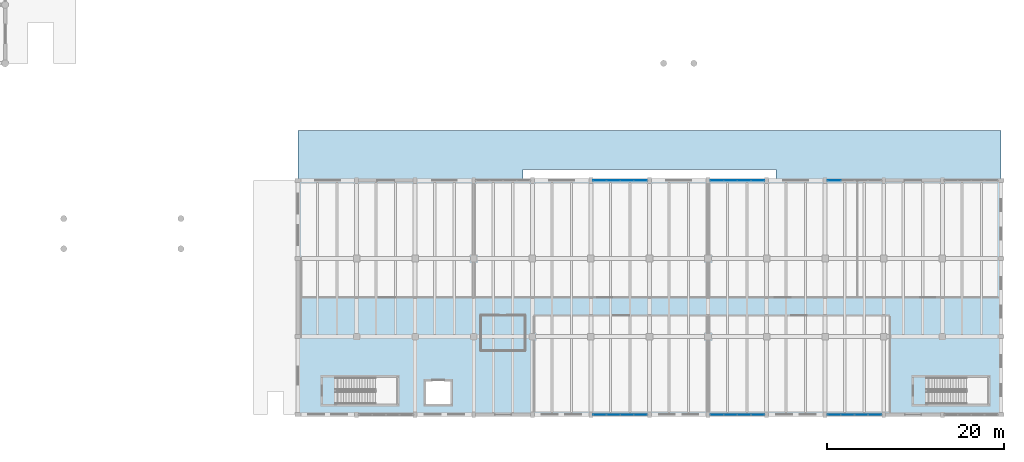
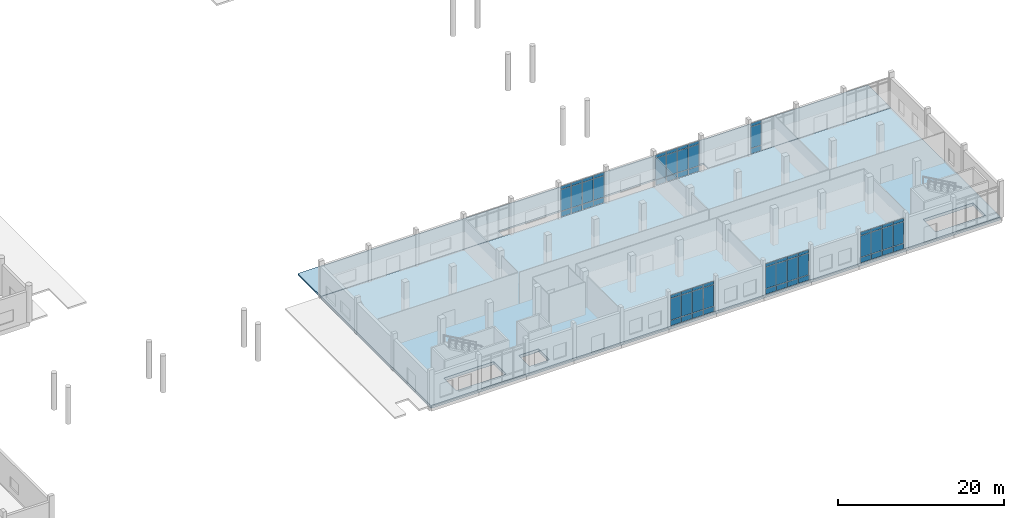
# One storey, part 36 of 72: 63 plates, 2 slabs, 6 elements without a shape of their own.
"""IFC4 building model written with IfcOpenShell, lengths in metres."""

import ifcopenshell
import ifcopenshell.guid

model = None  # the IFC model being written
_history = None  # IfcOwnerHistory: only IFC2X3 demands one
_inside = {}  # id of a spatial element -> (the spatial element, [elements in it])
_under = {}  # id of a project, library or spatial element -> (it, [spatial elements below it])
_declared = {}  # id of a project -> (the project, [libraries it declares])
_typed = {}  # id of a type object -> (the type object, [elements of that type])
_made_of = {}  # id of a material, layer set ... -> (it, [elements and type objects made of it])


def new_model(schema):
    """Start an empty IFC model of exactly this schema.

    Asked for "IFC4X3", IfcOpenShell would pick the latest addendum, in which some entities
    have other attributes; the version numbers below select the first issue.
    IFC2X3 requires an IfcOwnerHistory on every rooted entity: one is made here for all.
    """
    global model, _history
    if schema == "IFC4X3":
        model = ifcopenshell.file(schema_version=(4, 3, 0, 0))
    else:
        model = ifcopenshell.file(schema=schema)
    _inside.clear()
    _under.clear()
    _declared.clear()
    _typed.clear()
    _made_of.clear()
    _history = None
    if model.schema == "IFC2X3":
        org = make("IfcOrganization", Name="unknown")
        user = make(
            "IfcPersonAndOrganization",
            ThePerson=make("IfcPerson", FamilyName="unknown"),
            TheOrganization=org,
        )
        app = make(
            "IfcApplication",
            ApplicationDeveloper=org,
            Version="unknown",
            ApplicationFullName="unknown",
            ApplicationIdentifier="unknown",
        )
        _history = make(
            "IfcOwnerHistory",
            OwningUser=user,
            OwningApplication=app,
            ChangeAction="ADDED",
            CreationDate=0,
        )
    return model


def make(cls, **values):
    """One entity of the class cls with the attributes given. An attribute that is None is left unset."""
    return model.create_entity(
        cls, **{name: value for name, value in values.items() if value is not None}
    )


def rooted(cls, **values):
    """An entity with a GlobalId (a new one), such as an element, a storey or a relation."""
    return make(cls, GlobalId=ifcopenshell.guid.new(), OwnerHistory=_history, **values)


def si_unit(unit_type, name, prefix=None):
    """IfcSIUnit, for example si_unit("LENGTHUNIT", "METRE", prefix="MILLI")."""
    return make("IfcSIUnit", UnitType=unit_type, Prefix=prefix, Name=name)


def assignment(units):
    """IfcUnitAssignment: the units of a project."""
    return None if units is None else make("IfcUnitAssignment", Units=units)


def point(xyz):
    """IfcCartesianPoint."""
    return None if xyz is None else make("IfcCartesianPoint", Coordinates=xyz)


def direction(xyz):
    """IfcDirection."""
    return None if xyz is None else make("IfcDirection", DirectionRatios=xyz)


def frame(location, z_axis=None, x_axis=None):
    """IfcAxis2Placement3D, a coordinate frame: its origin and axes. An axis left out is left unset."""
    return make(
        "IfcAxis2Placement3D",
        Location=point(location),
        Axis=direction(z_axis),
        RefDirection=direction(x_axis),
    )


def frame_2d(location, x_axis=None):
    """IfcAxis2Placement2D, a coordinate frame in the plane: its origin and x axis."""
    return make(
        "IfcAxis2Placement2D", Location=point(location), RefDirection=direction(x_axis)
    )


def origin():
    """The frame at (0, 0, 0) with its axes left unset."""
    return frame((0.0, 0.0, 0.0))


def origin_2d():
    """The frame at (0, 0) in the plane with its x axis left unset."""
    return frame_2d((0.0, 0.0))


def place(relative_to, where):
    """IfcLocalPlacement: puts the frame where relative to a parent placement (None: the world)."""
    return make(
        "IfcLocalPlacement", PlacementRelTo=relative_to, RelativePlacement=where
    )


def context(
    kind, dimensions, precision=None, world=None, true_north=None, identifier=None
):
    """IfcGeometricRepresentationContext, for example the 3D "Model" context."""
    return make(
        "IfcGeometricRepresentationContext",
        ContextIdentifier=identifier,
        ContextType=kind,
        CoordinateSpaceDimension=dimensions,
        Precision=precision,
        WorldCoordinateSystem=world,
        TrueNorth=true_north,
    )


def subcontext(parent, identifier, kind, view, scale=None):
    """IfcGeometricRepresentationSubContext, for example "Body" below "Model"."""
    return make(
        "IfcGeometricRepresentationSubContext",
        ContextIdentifier=identifier,
        ContextType=kind,
        ParentContext=parent,
        TargetScale=scale,
        TargetView=view,
    )


def project(units=None, contexts=None):
    """IfcProject with its units and contexts."""
    return rooted(
        "IfcProject",
        Name="project",
        RepresentationContexts=contexts,
        UnitsInContext=assignment(units),
    )


def spatial(cls, under=None, at=None, **own):
    """A site, building, storey or space (cls), placed at a placement, below another one or the project."""
    s = rooted(cls, ObjectPlacement=at, **own)
    if under is not None:
        _under.setdefault(under.id(), (under, []))[1].append(s)
    return s


def polyline(points):
    """IfcPolyline through the points."""
    return make("IfcPolyline", Points=[point(p) for p in points])


def profile(cls, at=None, kind="AREA", **sizes):
    """A parametric profile (cls). Its sizes go by their IFC names, for example OverallWidth=200.0."""
    return make(cls, ProfileType=kind, Position=at, **sizes)


def rectangle(**sizes):
    """IfcRectangleProfileDef."""
    return profile("IfcRectangleProfileDef", **sizes)


def outline(outer, holes=None, kind="AREA"):
    """IfcArbitraryClosedProfileDef: a profile drawn as a closed curve; with holes, ...WithVoids."""
    if holes is None:
        return make("IfcArbitraryClosedProfileDef", ProfileType=kind, OuterCurve=outer)
    return make(
        "IfcArbitraryProfileDefWithVoids",
        ProfileType=kind,
        OuterCurve=outer,
        InnerCurves=holes,
    )


def extrude(swept, where, along, depth):
    """IfcExtrudedAreaSolid: the profile swept, set in the frame where, extruded along a direction by depth."""
    return make(
        "IfcExtrudedAreaSolid",
        SweptArea=swept,
        Position=where,
        ExtrudedDirection=direction(along),
        Depth=depth,
    )


def shape(context_of_items, identifier, shape_type, items):
    """IfcShapeRepresentation: the items that make up one representation, for example the "Body"."""
    return make(
        "IfcShapeRepresentation",
        ContextOfItems=context_of_items,
        RepresentationIdentifier=identifier,
        RepresentationType=shape_type,
        Items=items,
    )


def material(Name=None, Category=None):
    """IfcMaterial."""
    return make("IfcMaterial", Name=Name, Category=Category)


def layer(
    of_material, thickness, ventilated=None, Name=None, Category=None, Priority=None
):
    """IfcMaterialLayer: one layer of a wall or slab, of a material (None: an air gap)."""
    return make(
        "IfcMaterialLayer",
        Material=of_material,
        LayerThickness=thickness,
        IsVentilated=ventilated,
        Name=Name,
        Category=Category,
        Priority=Priority,
    )


def layer_set(layers, Name=None):
    """IfcMaterialLayerSet."""
    return make("IfcMaterialLayerSet", MaterialLayers=layers, LayerSetName=Name)


def made_of(thing, what):
    """Note that an element or type object is made of a material, layer set ...; save() writes the relation."""
    if what is not None:
        _made_of.setdefault(what.id(), (what, []))[1].append(thing)
    return thing


def type_object(cls, material=None, **own):
    """A type object (cls), such as IfcWallType, which elements share."""
    return made_of(rooted(cls, **own), material)


def element(
    cls,
    number,
    at=None,
    inside=None,
    cuts=None,
    type_object=None,
    material=None,
    context=None,
    identifier="Body",
    shape_type=None,
    held_by="IfcProductDefinitionShape",
    body=None,
    shapes=None,
    **own,
):
    """One element of the class cls, such as IfcWall. Its Tag is "e" and its number.

    at: its placement. inside: the storey or other place that contains it. cuts: it is an
    opening in that element (IfcRelVoidsElement). A single representation is given by context,
    identifier, shape_type and body (its items); several are given by shapes. held_by: the class
    of the entity that holds the representations. save() writes the other relations.
    """
    e = rooted(cls, Tag="e%d" % number, ObjectPlacement=at, **own)
    if body is not None:
        shapes = [shape(context, identifier, shape_type, body)]
    if shapes is not None:
        e.Representation = make(held_by, Representations=shapes)
    if inside is not None:
        _inside.setdefault(inside.id(), (inside, []))[1].append(e)
    if cuts is not None:
        rooted(
            "IfcRelVoidsElement", RelatingBuildingElement=cuts, RelatedOpeningElement=e
        )
    if type_object is not None:
        _typed.setdefault(type_object.id(), (type_object, []))[1].append(e)
    return made_of(e, material)


def aggregate(whole, parts):
    """IfcRelAggregates: a whole, such as a stair, and the parts it consists of."""
    return rooted("IfcRelAggregates", RelatingObject=whole, RelatedObjects=parts)


def save(model, path):
    """Write the relations noted so far, then the file.

    IfcRelAggregates (storeys below a building ...), IfcRelContainedInSpatialStructure (elements
    in a storey), IfcRelDefinesByType, IfcRelAssociatesMaterial and IfcRelDeclares: one each for
    every whole, place, type object, material and project.
    """
    for whole, parts in _under.values():
        aggregate(whole, parts)
    for where, things in _inside.values():
        rooted(
            "IfcRelContainedInSpatialStructure",
            RelatedElements=things,
            RelatingStructure=where,
        )
    for kind, things in _typed.values():
        rooted("IfcRelDefinesByType", RelatedObjects=things, RelatingType=kind)
    for what, things in _made_of.values():
        rooted("IfcRelAssociatesMaterial", RelatedObjects=things, RelatingMaterial=what)
    for by, libraries in _declared.values():
        rooted("IfcRelDeclares", RelatingContext=by, RelatedDefinitions=libraries)
    model.write(path)


model = new_model("IFC4")

# Units and contexts
model_context = context("Model", 3, precision=1e-05, world=origin(), true_north=direction((0.0, 1.0)))
body_context = subcontext(model_context, "Body", "Model", "MODEL_VIEW")
ifc_project = project(units=[si_unit("LENGTHUNIT", "METRE"), si_unit("AREAUNIT", "SQUARE_METRE"), si_unit("VOLUMEUNIT", "CUBIC_METRE"), si_unit("PLANEANGLEUNIT", "RADIAN"), si_unit("MASSUNIT", "GRAM", prefix="KILO")], contexts=[model_context])

# Site, building, storey
site_placement = place(None, origin())
site = spatial("IfcSite", under=ifc_project, at=site_placement, CompositionType="ELEMENT")
building_placement = place(site_placement, origin())
building = spatial("IfcBuilding", under=site, at=building_placement, Name="Dornvale Research Institute", CompositionType="ELEMENT")
storey_placement = place(building_placement, origin())
storey = spatial("IfcBuildingStorey", under=building, at=storey_placement, Name="L00", CompositionType="ELEMENT", Elevation=0.0)

# Slabs
ifc_material_1 = material(Name="Concrete f'c 35 MPa (C30/37)", Category="concrete")
ifc_layer_1 = layer(ifc_material_1, 0.239990234375)
ifc_layer_set_1 = layer_set([ifc_layer_1], Name="Concrete f'c 35 MPa (C30/37)")
slab_type_1 = type_object("IfcSlabType", Name="BaseSlab_Apron_240_Ext", PredefinedType="BASESLAB", material=ifc_layer_set_1)
slab_1_placement = place(storey_placement, frame((0.0, 0.0, -0.239990234375)))
element("IfcSlab", 1, at=slab_1_placement, inside=storey, type_object=slab_type_1, Name="L00 exterior colonnade and grade walk APR-ST-V3N", PredefinedType="BASESLAB", context=body_context, shape_type="SweptSolid", body=[
    extrude(outline(polyline([(99.0, 26.449951171875), (124.343994140625, 26.449951171875), (124.343994140625, 27.64990234375), (152.85595703125, 27.64990234375), (152.85595703125, 26.449951171875), (178.199951171875, 26.449951171875), (178.199951171875, 32.0), (99.0, 32.0), (99.0, 26.449951171875)])), origin(), (0.0, 0.0, 1.0), 0.239990234375),
])
ifc_material_2 = material(Name="Concrete f'c 40 MPa (C32/40)", Category="concrete")
ifc_layer_2 = layer(ifc_material_2, 0.43994140625)
ifc_layer_set_2 = layer_set([ifc_layer_2], Name="Concrete f'c 40 MPa (C32/40)")
slab_type_2 = type_object("IfcSlabType", Name="BaseSlab_RC440", PredefinedType="BASESLAB", material=ifc_layer_set_2)
slab_2_placement = place(storey_placement, frame((0.0, 0.0, -0.43994140625)))
element("IfcSlab", 2, at=slab_2_placement, inside=storey, type_object=slab_type_2, Name="L00 V3 structural base slab", PredefinedType="BASESLAB", context=body_context, shape_type="SweptSolid", body=[
    extrude(outline(polyline([(99.0, 0.0), (178.199951171875, 0.0), (178.199951171875, 26.39990234375), (99.0, 26.39990234375), (99.0, 0.0)]), holes=[polyline([(103.219970703125, 1.199951171875), (110.199951171875, 1.199951171875), (110.199951171875, 4.199951171875), (103.219970703125, 4.199951171875), (103.219970703125, 1.199951171875)]), polyline([(169.820068359375, 1.199951171875), (176.800048828125, 1.199951171875), (176.800048828125, 4.199951171875), (169.820068359375, 4.199951171875), (169.820068359375, 1.199951171875)]), polyline([(113.39990234375, 1.199951171875), (116.199951171875, 1.199951171875), (116.199951171875, 3.800048828125), (113.39990234375, 3.800048828125), (113.39990234375, 1.199951171875)])]), origin(), (0.0, 0.0, 1.0), 0.43994140625),
])

# Curtain wall, plates
ifc_material_3 = material(Name="Low-E Argon Double Insulating Glazing Unit", Category="glass")
curtain_wall_type = type_object("IfcCurtainWallType", Name="UnitisedCurtainWall_V3_6150x4600", PredefinedType="USERDEFINED", material=ifc_material_3)
curtain_wall_1_placement = place(storey_placement, origin())
curtain_wall_1 = element("IfcCurtainWall", 3, at=curtain_wall_1_placement, inside=storey, type_object=curtain_wall_type, Name="L00 V3 unitised curtain wall CW-04 #21", ObjectType="UNITISED CURTAIN WALL", PredefinedType="USERDEFINED")
ifc_material_4 = material(Name="Insulated Ceramic-Frit Spandrel Glass Panel", Category="glass")
ifc_layer_3 = layer(ifc_material_4, 0.0419921875)
ifc_layer_set_3 = layer_set([ifc_layer_3], Name="Insulated Ceramic-Frit Spandrel Glass Panel")
plate_type_1 = type_object("IfcPlateType", Name="CurtainPanel_Spandrel_42", PredefinedType="CURTAIN_PANEL", material=ifc_layer_set_3)
plate_1_placement = place(storey_placement, frame((133.010009765625, 26.39990234375, 0.06494140625), z_axis=(0.0, 0.0, 1.0), x_axis=(1.0, 0.0, 0.0)))
plate_1 = element("IfcPlate", 4, at=plate_1_placement, type_object=plate_type_1, Name="CW-04 panel 1.1", PredefinedType="CURTAIN_PANEL", context=body_context, shape_type="SweptSolid", body=[
    extrude(rectangle(XDim=1.43994140625, YDim=0.0419921875, at=origin_2d()), origin(), (0.0, 0.0, 1.0), 0.75244140625),
])
plate_2_placement = place(storey_placement, frame((134.53125, 26.39990234375, 0.06494140625), z_axis=(0.0, 0.0, 1.0), x_axis=(1.0, 0.0, 0.0)))
plate_2 = element("IfcPlate", 5, at=plate_2_placement, type_object=plate_type_1, Name="CW-04 panel 2.1", PredefinedType="CURTAIN_PANEL", context=body_context, shape_type="SweptSolid", body=[
    extrude(rectangle(XDim=1.472412109375, YDim=0.0419921875, at=origin_2d()), origin(), (0.0, 0.0, 1.0), 0.75244140625),
])
plate_3_placement = place(storey_placement, frame((136.06884765625, 26.39990234375, 0.06494140625), z_axis=(0.0, 0.0, 1.0), x_axis=(1.0, 0.0, 0.0)))
plate_3 = element("IfcPlate", 6, at=plate_3_placement, type_object=plate_type_1, Name="CW-04 panel 3.1", PredefinedType="CURTAIN_PANEL", context=body_context, shape_type="SweptSolid", body=[
    extrude(rectangle(XDim=1.472412109375, YDim=0.0419921875, at=origin_2d()), origin(), (0.0, 0.0, 1.0), 0.75244140625),
])
plate_4_placement = place(storey_placement, frame((137.590087890625, 26.39990234375, 0.06494140625), z_axis=(0.0, 0.0, 1.0), x_axis=(1.0, 0.0, 0.0)))
plate_4 = element("IfcPlate", 7, at=plate_4_placement, type_object=plate_type_1, Name="CW-04 panel 4.1", PredefinedType="CURTAIN_PANEL", context=body_context, shape_type="SweptSolid", body=[
    extrude(rectangle(XDim=1.43994140625, YDim=0.0419921875, at=origin_2d()), origin(), (0.0, 0.0, 1.0), 0.75244140625),
])

curtain_wall_2_placement = place(storey_placement, origin())
curtain_wall_2 = element("IfcCurtainWall", 8, at=curtain_wall_2_placement, inside=storey, type_object=curtain_wall_type, Name="L00 V3 unitised curtain wall CW-04 #22", ObjectType="UNITISED CURTAIN WALL", PredefinedType="USERDEFINED")
plate_5_placement = place(storey_placement, frame((146.2099609375, 26.39990234375, 0.06494140625), z_axis=(0.0, 0.0, 1.0), x_axis=(1.0, 0.0, 0.0)))
plate_5 = element("IfcPlate", 9, at=plate_5_placement, type_object=plate_type_1, Name="CW-04 panel 1.1", PredefinedType="CURTAIN_PANEL", context=body_context, shape_type="SweptSolid", body=[
    extrude(rectangle(XDim=1.43994140625, YDim=0.0419921875, at=origin_2d()), origin(), (0.0, 0.0, 1.0), 0.75244140625),
])
plate_6_placement = place(storey_placement, frame((147.731201171875, 26.39990234375, 0.06494140625), z_axis=(0.0, 0.0, 1.0), x_axis=(1.0, 0.0, 0.0)))
plate_6 = element("IfcPlate", 10, at=plate_6_placement, type_object=plate_type_1, Name="CW-04 panel 2.1", PredefinedType="CURTAIN_PANEL", context=body_context, shape_type="SweptSolid", body=[
    extrude(rectangle(XDim=1.472412109375, YDim=0.0419921875, at=origin_2d()), origin(), (0.0, 0.0, 1.0), 0.75244140625),
])
plate_7_placement = place(storey_placement, frame((149.268798828125, 26.39990234375, 0.06494140625), z_axis=(0.0, 0.0, 1.0), x_axis=(1.0, 0.0, 0.0)))
plate_7 = element("IfcPlate", 11, at=plate_7_placement, type_object=plate_type_1, Name="CW-04 panel 3.1", PredefinedType="CURTAIN_PANEL", context=body_context, shape_type="SweptSolid", body=[
    extrude(rectangle(XDim=1.472412109375, YDim=0.0419921875, at=origin_2d()), origin(), (0.0, 0.0, 1.0), 0.75244140625),
])
plate_8_placement = place(storey_placement, frame((150.7900390625, 26.39990234375, 0.06494140625), z_axis=(0.0, 0.0, 1.0), x_axis=(1.0, 0.0, 0.0)))
plate_8 = element("IfcPlate", 12, at=plate_8_placement, type_object=plate_type_1, Name="CW-04 panel 4.1", PredefinedType="CURTAIN_PANEL", context=body_context, shape_type="SweptSolid", body=[
    extrude(rectangle(XDim=1.43994140625, YDim=0.0419921875, at=origin_2d()), origin(), (0.0, 0.0, 1.0), 0.75244140625),
])

# Curtain wall, plate
curtain_wall_3_placement = place(storey_placement, origin())
curtain_wall_3 = element("IfcCurtainWall", 13, at=curtain_wall_3_placement, inside=storey, type_object=curtain_wall_type, Name="L00 V3 unitised curtain wall CW-04 #23", ObjectType="UNITISED CURTAIN WALL", PredefinedType="USERDEFINED")
plate_9_placement = place(storey_placement, frame((159.409912109375, 26.39990234375, 0.06494140625), z_axis=(0.0, 0.0, 1.0), x_axis=(1.0, 0.0, 0.0)))
plate_9 = element("IfcPlate", 14, at=plate_9_placement, type_object=plate_type_1, Name="CW-04 panel 1.1", PredefinedType="CURTAIN_PANEL", context=body_context, shape_type="SweptSolid", body=[
    extrude(rectangle(XDim=1.43994140625, YDim=0.0419921875, at=origin_2d()), origin(), (0.0, 0.0, 1.0), 0.75244140625),
])

# Curtain wall, plates
curtain_wall_4_placement = place(storey_placement, origin())
curtain_wall_4 = element("IfcCurtainWall", 15, at=curtain_wall_4_placement, inside=storey, type_object=curtain_wall_type, Name="L00 V3 unitised curtain wall CW-04 #26", ObjectType="UNITISED CURTAIN WALL", PredefinedType="USERDEFINED")
plate_10_placement = place(storey_placement, frame((163.989990234375, 0.0, 0.06494140625), z_axis=(0.0, 0.0, 1.0), x_axis=(-1.0, 0.0, 0.0)))
plate_10 = element("IfcPlate", 16, at=plate_10_placement, type_object=plate_type_1, Name="CW-04 panel 1.1", PredefinedType="CURTAIN_PANEL", context=body_context, shape_type="SweptSolid", body=[
    extrude(rectangle(XDim=1.43994140625, YDim=0.0419921875, at=origin_2d()), origin(), (0.0, 0.0, 1.0), 0.75244140625),
])
plate_11_placement = place(storey_placement, frame((162.46875, 0.0, 0.06494140625), z_axis=(0.0, 0.0, 1.0), x_axis=(-1.0, 0.0, 0.0)))
plate_11 = element("IfcPlate", 17, at=plate_11_placement, type_object=plate_type_1, Name="CW-04 panel 2.1", PredefinedType="CURTAIN_PANEL", context=body_context, shape_type="SweptSolid", body=[
    extrude(rectangle(XDim=1.472412109375, YDim=0.0419921875, at=origin_2d()), origin(), (0.0, 0.0, 1.0), 0.75244140625),
])
plate_12_placement = place(storey_placement, frame((160.93115234375, 0.0, 0.06494140625), z_axis=(0.0, 0.0, 1.0), x_axis=(-1.0, 0.0, 0.0)))
plate_12 = element("IfcPlate", 18, at=plate_12_placement, type_object=plate_type_1, Name="CW-04 panel 3.1", PredefinedType="CURTAIN_PANEL", context=body_context, shape_type="SweptSolid", body=[
    extrude(rectangle(XDim=1.472412109375, YDim=0.0419921875, at=origin_2d()), origin(), (0.0, 0.0, 1.0), 0.75244140625),
])
plate_13_placement = place(storey_placement, frame((159.409912109375, 0.0, 0.06494140625), z_axis=(0.0, 0.0, 1.0), x_axis=(-1.0, 0.0, 0.0)))
plate_13 = element("IfcPlate", 19, at=plate_13_placement, type_object=plate_type_1, Name="CW-04 panel 4.1", PredefinedType="CURTAIN_PANEL", context=body_context, shape_type="SweptSolid", body=[
    extrude(rectangle(XDim=1.43994140625, YDim=0.0419921875, at=origin_2d()), origin(), (0.0, 0.0, 1.0), 0.75244140625),
])

curtain_wall_5_placement = place(storey_placement, origin())
curtain_wall_5 = element("IfcCurtainWall", 20, at=curtain_wall_5_placement, inside=storey, type_object=curtain_wall_type, Name="L00 V3 unitised curtain wall CW-04 #27", ObjectType="UNITISED CURTAIN WALL", PredefinedType="USERDEFINED")
plate_14_placement = place(storey_placement, frame((150.7900390625, 0.0, 0.06494140625), z_axis=(0.0, 0.0, 1.0), x_axis=(-1.0, 0.0, 0.0)))
plate_14 = element("IfcPlate", 21, at=plate_14_placement, type_object=plate_type_1, Name="CW-04 panel 1.1", PredefinedType="CURTAIN_PANEL", context=body_context, shape_type="SweptSolid", body=[
    extrude(rectangle(XDim=1.43994140625, YDim=0.0419921875, at=origin_2d()), origin(), (0.0, 0.0, 1.0), 0.75244140625),
])
plate_15_placement = place(storey_placement, frame((149.268798828125, 0.0, 0.06494140625), z_axis=(0.0, 0.0, 1.0), x_axis=(-1.0, 0.0, 0.0)))
plate_15 = element("IfcPlate", 22, at=plate_15_placement, type_object=plate_type_1, Name="CW-04 panel 2.1", PredefinedType="CURTAIN_PANEL", context=body_context, shape_type="SweptSolid", body=[
    extrude(rectangle(XDim=1.472412109375, YDim=0.0419921875, at=origin_2d()), origin(), (0.0, 0.0, 1.0), 0.75244140625),
])
plate_16_placement = place(storey_placement, frame((147.731201171875, 0.0, 0.06494140625), z_axis=(0.0, 0.0, 1.0), x_axis=(-1.0, 0.0, 0.0)))
plate_16 = element("IfcPlate", 23, at=plate_16_placement, type_object=plate_type_1, Name="CW-04 panel 3.1", PredefinedType="CURTAIN_PANEL", context=body_context, shape_type="SweptSolid", body=[
    extrude(rectangle(XDim=1.472412109375, YDim=0.0419921875, at=origin_2d()), origin(), (0.0, 0.0, 1.0), 0.75244140625),
])
plate_17_placement = place(storey_placement, frame((146.2099609375, 0.0, 0.06494140625), z_axis=(0.0, 0.0, 1.0), x_axis=(-1.0, 0.0, 0.0)))
plate_17 = element("IfcPlate", 24, at=plate_17_placement, type_object=plate_type_1, Name="CW-04 panel 4.1", PredefinedType="CURTAIN_PANEL", context=body_context, shape_type="SweptSolid", body=[
    extrude(rectangle(XDim=1.43994140625, YDim=0.0419921875, at=origin_2d()), origin(), (0.0, 0.0, 1.0), 0.75244140625),
])

curtain_wall_6_placement = place(storey_placement, origin())
curtain_wall_6 = element("IfcCurtainWall", 25, at=curtain_wall_6_placement, inside=storey, type_object=curtain_wall_type, Name="L00 V3 unitised curtain wall CW-04 #28", ObjectType="UNITISED CURTAIN WALL", PredefinedType="USERDEFINED")
plate_18_placement = place(storey_placement, frame((137.590087890625, 0.0, 0.06494140625), z_axis=(0.0, 0.0, 1.0), x_axis=(-1.0, 0.0, 0.0)))
plate_18 = element("IfcPlate", 26, at=plate_18_placement, type_object=plate_type_1, Name="CW-04 panel 1.1", PredefinedType="CURTAIN_PANEL", context=body_context, shape_type="SweptSolid", body=[
    extrude(rectangle(XDim=1.43994140625, YDim=0.0419921875, at=origin_2d()), origin(), (0.0, 0.0, 1.0), 0.75244140625),
])
plate_19_placement = place(storey_placement, frame((136.06884765625, 0.0, 0.06494140625), z_axis=(0.0, 0.0, 1.0), x_axis=(-1.0, 0.0, 0.0)))
plate_19 = element("IfcPlate", 27, at=plate_19_placement, type_object=plate_type_1, Name="CW-04 panel 2.1", PredefinedType="CURTAIN_PANEL", context=body_context, shape_type="SweptSolid", body=[
    extrude(rectangle(XDim=1.472412109375, YDim=0.0419921875, at=origin_2d()), origin(), (0.0, 0.0, 1.0), 0.75244140625),
])
plate_20_placement = place(storey_placement, frame((134.53125, 0.0, 0.06494140625), z_axis=(0.0, 0.0, 1.0), x_axis=(-1.0, 0.0, 0.0)))
plate_20 = element("IfcPlate", 28, at=plate_20_placement, type_object=plate_type_1, Name="CW-04 panel 3.1", PredefinedType="CURTAIN_PANEL", context=body_context, shape_type="SweptSolid", body=[
    extrude(rectangle(XDim=1.472412109375, YDim=0.0419921875, at=origin_2d()), origin(), (0.0, 0.0, 1.0), 0.75244140625),
])
plate_21_placement = place(storey_placement, frame((133.010009765625, 0.0, 0.06494140625), z_axis=(0.0, 0.0, 1.0), x_axis=(-1.0, 0.0, 0.0)))
plate_21 = element("IfcPlate", 29, at=plate_21_placement, type_object=plate_type_1, Name="CW-04 panel 4.1", PredefinedType="CURTAIN_PANEL", context=body_context, shape_type="SweptSolid", body=[
    extrude(rectangle(XDim=1.43994140625, YDim=0.0419921875, at=origin_2d()), origin(), (0.0, 0.0, 1.0), 0.75244140625),
])

# Plate
ifc_material_5 = material(Name="Low-E Argon Double Insulating Glazing Unit", Category="glass")
ifc_layer_4 = layer(ifc_material_5, 0.028076171875)
ifc_layer_set_4 = layer_set([ifc_layer_4], Name="Low-E Argon Double Insulating Glazing Unit")
plate_type_2 = type_object("IfcPlateType", Name="CurtainPanel_Vision_28", PredefinedType="CURTAIN_PANEL", material=ifc_layer_set_4)
plate_22_placement = place(storey_placement, frame((133.010009765625, 26.39990234375, 0.88232421875), z_axis=(0.0, 0.0, 1.0), x_axis=(1.0, 0.0, 0.0)))
plate_22 = element("IfcPlate", 30, at=plate_22_placement, type_object=plate_type_2, Name="CW-04 panel 1.2", PredefinedType="CURTAIN_PANEL", context=body_context, shape_type="SweptSolid", body=[
    extrude(rectangle(XDim=1.43994140625, YDim=0.028076171875, at=origin_2d()), origin(), (0.0, 0.0, 1.0), 3.135009765625),
])

plate_23_placement = place(storey_placement, frame((133.010009765625, 26.39990234375, 4.08251953125), z_axis=(0.0, 0.0, 1.0), x_axis=(1.0, 0.0, 0.0)))
plate_23 = element("IfcPlate", 31, at=plate_23_placement, type_object=plate_type_2, Name="CW-04 panel 1.3", PredefinedType="CURTAIN_PANEL", context=body_context, shape_type="SweptSolid", body=[
    extrude(rectangle(XDim=1.43994140625, YDim=0.028076171875, at=origin_2d()), origin(), (0.0, 0.0, 1.0), 0.452392578125),
])

plate_24_placement = place(storey_placement, frame((134.53125, 26.39990234375, 0.88232421875), z_axis=(0.0, 0.0, 1.0), x_axis=(1.0, 0.0, 0.0)))
plate_24 = element("IfcPlate", 32, at=plate_24_placement, type_object=plate_type_2, Name="CW-04 panel 2.2", PredefinedType="CURTAIN_PANEL", context=body_context, shape_type="SweptSolid", body=[
    extrude(rectangle(XDim=1.472412109375, YDim=0.028076171875, at=origin_2d()), origin(), (0.0, 0.0, 1.0), 3.135009765625),
])

plate_25_placement = place(storey_placement, frame((134.53125, 26.39990234375, 4.08251953125), z_axis=(0.0, 0.0, 1.0), x_axis=(1.0, 0.0, 0.0)))
plate_25 = element("IfcPlate", 33, at=plate_25_placement, type_object=plate_type_2, Name="CW-04 panel 2.3", PredefinedType="CURTAIN_PANEL", context=body_context, shape_type="SweptSolid", body=[
    extrude(rectangle(XDim=1.472412109375, YDim=0.028076171875, at=origin_2d()), origin(), (0.0, 0.0, 1.0), 0.452392578125),
])

plate_26_placement = place(storey_placement, frame((136.06884765625, 26.39990234375, 0.88232421875), z_axis=(0.0, 0.0, 1.0), x_axis=(1.0, 0.0, 0.0)))
plate_26 = element("IfcPlate", 34, at=plate_26_placement, type_object=plate_type_2, Name="CW-04 panel 3.2", PredefinedType="CURTAIN_PANEL", context=body_context, shape_type="SweptSolid", body=[
    extrude(rectangle(XDim=1.472412109375, YDim=0.028076171875, at=origin_2d()), origin(), (0.0, 0.0, 1.0), 3.135009765625),
])

plate_27_placement = place(storey_placement, frame((136.06884765625, 26.39990234375, 4.08251953125), z_axis=(0.0, 0.0, 1.0), x_axis=(1.0, 0.0, 0.0)))
plate_27 = element("IfcPlate", 35, at=plate_27_placement, type_object=plate_type_2, Name="CW-04 panel 3.3", PredefinedType="CURTAIN_PANEL", context=body_context, shape_type="SweptSolid", body=[
    extrude(rectangle(XDim=1.472412109375, YDim=0.028076171875, at=origin_2d()), origin(), (0.0, 0.0, 1.0), 0.452392578125),
])

plate_28_placement = place(storey_placement, frame((137.590087890625, 26.39990234375, 0.88232421875), z_axis=(0.0, 0.0, 1.0), x_axis=(1.0, 0.0, 0.0)))
plate_28 = element("IfcPlate", 36, at=plate_28_placement, type_object=plate_type_2, Name="CW-04 panel 4.2", PredefinedType="CURTAIN_PANEL", context=body_context, shape_type="SweptSolid", body=[
    extrude(rectangle(XDim=1.43994140625, YDim=0.028076171875, at=origin_2d()), origin(), (0.0, 0.0, 1.0), 3.135009765625),
])

plate_29_placement = place(storey_placement, frame((137.590087890625, 26.39990234375, 4.08251953125), z_axis=(0.0, 0.0, 1.0), x_axis=(1.0, 0.0, 0.0)))
plate_29 = element("IfcPlate", 37, at=plate_29_placement, type_object=plate_type_2, Name="CW-04 panel 4.3", PredefinedType="CURTAIN_PANEL", context=body_context, shape_type="SweptSolid", body=[
    extrude(rectangle(XDim=1.43994140625, YDim=0.028076171875, at=origin_2d()), origin(), (0.0, 0.0, 1.0), 0.452392578125),
])

aggregate(curtain_wall_1, [plate_1, plate_22, plate_23, plate_2, plate_24, plate_25, plate_3, plate_26, plate_27, plate_4, plate_28, plate_29])

plate_30_placement = place(storey_placement, frame((146.2099609375, 26.39990234375, 0.88232421875), z_axis=(0.0, 0.0, 1.0), x_axis=(1.0, 0.0, 0.0)))
plate_30 = element("IfcPlate", 38, at=plate_30_placement, type_object=plate_type_2, Name="CW-04 panel 1.2", PredefinedType="CURTAIN_PANEL", context=body_context, shape_type="SweptSolid", body=[
    extrude(rectangle(XDim=1.43994140625, YDim=0.028076171875, at=origin_2d()), origin(), (0.0, 0.0, 1.0), 3.135009765625),
])

plate_31_placement = place(storey_placement, frame((146.2099609375, 26.39990234375, 4.08251953125), z_axis=(0.0, 0.0, 1.0), x_axis=(1.0, 0.0, 0.0)))
plate_31 = element("IfcPlate", 39, at=plate_31_placement, type_object=plate_type_2, Name="CW-04 panel 1.3", PredefinedType="CURTAIN_PANEL", context=body_context, shape_type="SweptSolid", body=[
    extrude(rectangle(XDim=1.43994140625, YDim=0.028076171875, at=origin_2d()), origin(), (0.0, 0.0, 1.0), 0.452392578125),
])

plate_32_placement = place(storey_placement, frame((147.731201171875, 26.39990234375, 0.88232421875), z_axis=(0.0, 0.0, 1.0), x_axis=(1.0, 0.0, 0.0)))
plate_32 = element("IfcPlate", 40, at=plate_32_placement, type_object=plate_type_2, Name="CW-04 panel 2.2", PredefinedType="CURTAIN_PANEL", context=body_context, shape_type="SweptSolid", body=[
    extrude(rectangle(XDim=1.472412109375, YDim=0.028076171875, at=origin_2d()), origin(), (0.0, 0.0, 1.0), 3.135009765625),
])

plate_33_placement = place(storey_placement, frame((147.731201171875, 26.39990234375, 4.08251953125), z_axis=(0.0, 0.0, 1.0), x_axis=(1.0, 0.0, 0.0)))
plate_33 = element("IfcPlate", 41, at=plate_33_placement, type_object=plate_type_2, Name="CW-04 panel 2.3", PredefinedType="CURTAIN_PANEL", context=body_context, shape_type="SweptSolid", body=[
    extrude(rectangle(XDim=1.472412109375, YDim=0.028076171875, at=origin_2d()), origin(), (0.0, 0.0, 1.0), 0.452392578125),
])

plate_34_placement = place(storey_placement, frame((149.268798828125, 26.39990234375, 0.88232421875), z_axis=(0.0, 0.0, 1.0), x_axis=(1.0, 0.0, 0.0)))
plate_34 = element("IfcPlate", 42, at=plate_34_placement, type_object=plate_type_2, Name="CW-04 panel 3.2", PredefinedType="CURTAIN_PANEL", context=body_context, shape_type="SweptSolid", body=[
    extrude(rectangle(XDim=1.472412109375, YDim=0.028076171875, at=origin_2d()), origin(), (0.0, 0.0, 1.0), 3.135009765625),
])

plate_35_placement = place(storey_placement, frame((149.268798828125, 26.39990234375, 4.08251953125), z_axis=(0.0, 0.0, 1.0), x_axis=(1.0, 0.0, 0.0)))
plate_35 = element("IfcPlate", 43, at=plate_35_placement, type_object=plate_type_2, Name="CW-04 panel 3.3", PredefinedType="CURTAIN_PANEL", context=body_context, shape_type="SweptSolid", body=[
    extrude(rectangle(XDim=1.472412109375, YDim=0.028076171875, at=origin_2d()), origin(), (0.0, 0.0, 1.0), 0.452392578125),
])

plate_36_placement = place(storey_placement, frame((150.7900390625, 26.39990234375, 0.88232421875), z_axis=(0.0, 0.0, 1.0), x_axis=(1.0, 0.0, 0.0)))
plate_36 = element("IfcPlate", 44, at=plate_36_placement, type_object=plate_type_2, Name="CW-04 panel 4.2", PredefinedType="CURTAIN_PANEL", context=body_context, shape_type="SweptSolid", body=[
    extrude(rectangle(XDim=1.43994140625, YDim=0.028076171875, at=origin_2d()), origin(), (0.0, 0.0, 1.0), 3.135009765625),
])

plate_37_placement = place(storey_placement, frame((150.7900390625, 26.39990234375, 4.08251953125), z_axis=(0.0, 0.0, 1.0), x_axis=(1.0, 0.0, 0.0)))
plate_37 = element("IfcPlate", 45, at=plate_37_placement, type_object=plate_type_2, Name="CW-04 panel 4.3", PredefinedType="CURTAIN_PANEL", context=body_context, shape_type="SweptSolid", body=[
    extrude(rectangle(XDim=1.43994140625, YDim=0.028076171875, at=origin_2d()), origin(), (0.0, 0.0, 1.0), 0.452392578125),
])

aggregate(curtain_wall_2, [plate_5, plate_30, plate_31, plate_6, plate_32, plate_33, plate_7, plate_34, plate_35, plate_8, plate_36, plate_37])

plate_38_placement = place(storey_placement, frame((159.409912109375, 26.39990234375, 0.88232421875), z_axis=(0.0, 0.0, 1.0), x_axis=(1.0, 0.0, 0.0)))
plate_38 = element("IfcPlate", 46, at=plate_38_placement, type_object=plate_type_2, Name="CW-04 panel 1.2", PredefinedType="CURTAIN_PANEL", context=body_context, shape_type="SweptSolid", body=[
    extrude(rectangle(XDim=1.43994140625, YDim=0.028076171875, at=origin_2d()), origin(), (0.0, 0.0, 1.0), 3.135009765625),
])

plate_39_placement = place(storey_placement, frame((159.409912109375, 26.39990234375, 4.08251953125), z_axis=(0.0, 0.0, 1.0), x_axis=(1.0, 0.0, 0.0)))
plate_39 = element("IfcPlate", 47, at=plate_39_placement, type_object=plate_type_2, Name="CW-04 panel 1.3", PredefinedType="CURTAIN_PANEL", context=body_context, shape_type="SweptSolid", body=[
    extrude(rectangle(XDim=1.43994140625, YDim=0.028076171875, at=origin_2d()), origin(), (0.0, 0.0, 1.0), 0.452392578125),
])

aggregate(curtain_wall_3, [plate_9, plate_38, plate_39])

plate_40_placement = place(storey_placement, frame((163.989990234375, 0.0, 0.88232421875), z_axis=(0.0, 0.0, 1.0), x_axis=(-1.0, 0.0, 0.0)))
plate_40 = element("IfcPlate", 48, at=plate_40_placement, type_object=plate_type_2, Name="CW-04 panel 1.2", PredefinedType="CURTAIN_PANEL", context=body_context, shape_type="SweptSolid", body=[
    extrude(rectangle(XDim=1.43994140625, YDim=0.028076171875, at=origin_2d()), origin(), (0.0, 0.0, 1.0), 3.135009765625),
])

plate_41_placement = place(storey_placement, frame((163.989990234375, 0.0, 4.08251953125), z_axis=(0.0, 0.0, 1.0), x_axis=(-1.0, 0.0, 0.0)))
plate_41 = element("IfcPlate", 49, at=plate_41_placement, type_object=plate_type_2, Name="CW-04 panel 1.3", PredefinedType="CURTAIN_PANEL", context=body_context, shape_type="SweptSolid", body=[
    extrude(rectangle(XDim=1.43994140625, YDim=0.028076171875, at=origin_2d()), origin(), (0.0, 0.0, 1.0), 0.452392578125),
])

plate_42_placement = place(storey_placement, frame((162.46875, 0.0, 0.88232421875), z_axis=(0.0, 0.0, 1.0), x_axis=(-1.0, 0.0, 0.0)))
plate_42 = element("IfcPlate", 50, at=plate_42_placement, type_object=plate_type_2, Name="CW-04 panel 2.2", PredefinedType="CURTAIN_PANEL", context=body_context, shape_type="SweptSolid", body=[
    extrude(rectangle(XDim=1.472412109375, YDim=0.028076171875, at=origin_2d()), origin(), (0.0, 0.0, 1.0), 3.135009765625),
])

plate_43_placement = place(storey_placement, frame((162.46875, 0.0, 4.08251953125), z_axis=(0.0, 0.0, 1.0), x_axis=(-1.0, 0.0, 0.0)))
plate_43 = element("IfcPlate", 51, at=plate_43_placement, type_object=plate_type_2, Name="CW-04 panel 2.3", PredefinedType="CURTAIN_PANEL", context=body_context, shape_type="SweptSolid", body=[
    extrude(rectangle(XDim=1.472412109375, YDim=0.028076171875, at=origin_2d()), origin(), (0.0, 0.0, 1.0), 0.452392578125),
])

plate_44_placement = place(storey_placement, frame((160.93115234375, 0.0, 0.88232421875), z_axis=(0.0, 0.0, 1.0), x_axis=(-1.0, 0.0, 0.0)))
plate_44 = element("IfcPlate", 52, at=plate_44_placement, type_object=plate_type_2, Name="CW-04 panel 3.2", PredefinedType="CURTAIN_PANEL", context=body_context, shape_type="SweptSolid", body=[
    extrude(rectangle(XDim=1.472412109375, YDim=0.028076171875, at=origin_2d()), origin(), (0.0, 0.0, 1.0), 3.135009765625),
])

plate_45_placement = place(storey_placement, frame((160.93115234375, 0.0, 4.08251953125), z_axis=(0.0, 0.0, 1.0), x_axis=(-1.0, 0.0, 0.0)))
plate_45 = element("IfcPlate", 53, at=plate_45_placement, type_object=plate_type_2, Name="CW-04 panel 3.3", PredefinedType="CURTAIN_PANEL", context=body_context, shape_type="SweptSolid", body=[
    extrude(rectangle(XDim=1.472412109375, YDim=0.028076171875, at=origin_2d()), origin(), (0.0, 0.0, 1.0), 0.452392578125),
])

plate_46_placement = place(storey_placement, frame((159.409912109375, 0.0, 0.88232421875), z_axis=(0.0, 0.0, 1.0), x_axis=(-1.0, 0.0, 0.0)))
plate_46 = element("IfcPlate", 54, at=plate_46_placement, type_object=plate_type_2, Name="CW-04 panel 4.2", PredefinedType="CURTAIN_PANEL", context=body_context, shape_type="SweptSolid", body=[
    extrude(rectangle(XDim=1.43994140625, YDim=0.028076171875, at=origin_2d()), origin(), (0.0, 0.0, 1.0), 3.135009765625),
])

plate_47_placement = place(storey_placement, frame((159.409912109375, 0.0, 4.08251953125), z_axis=(0.0, 0.0, 1.0), x_axis=(-1.0, 0.0, 0.0)))
plate_47 = element("IfcPlate", 55, at=plate_47_placement, type_object=plate_type_2, Name="CW-04 panel 4.3", PredefinedType="CURTAIN_PANEL", context=body_context, shape_type="SweptSolid", body=[
    extrude(rectangle(XDim=1.43994140625, YDim=0.028076171875, at=origin_2d()), origin(), (0.0, 0.0, 1.0), 0.452392578125),
])

aggregate(curtain_wall_4, [plate_10, plate_40, plate_41, plate_11, plate_42, plate_43, plate_12, plate_44, plate_45, plate_13, plate_46, plate_47])

plate_48_placement = place(storey_placement, frame((150.7900390625, 0.0, 0.88232421875), z_axis=(0.0, 0.0, 1.0), x_axis=(-1.0, 0.0, 0.0)))
plate_48 = element("IfcPlate", 56, at=plate_48_placement, type_object=plate_type_2, Name="CW-04 panel 1.2", PredefinedType="CURTAIN_PANEL", context=body_context, shape_type="SweptSolid", body=[
    extrude(rectangle(XDim=1.43994140625, YDim=0.028076171875, at=origin_2d()), origin(), (0.0, 0.0, 1.0), 3.135009765625),
])

plate_49_placement = place(storey_placement, frame((150.7900390625, 0.0, 4.08251953125), z_axis=(0.0, 0.0, 1.0), x_axis=(-1.0, 0.0, 0.0)))
plate_49 = element("IfcPlate", 57, at=plate_49_placement, type_object=plate_type_2, Name="CW-04 panel 1.3", PredefinedType="CURTAIN_PANEL", context=body_context, shape_type="SweptSolid", body=[
    extrude(rectangle(XDim=1.43994140625, YDim=0.028076171875, at=origin_2d()), origin(), (0.0, 0.0, 1.0), 0.452392578125),
])

plate_50_placement = place(storey_placement, frame((149.268798828125, 0.0, 0.88232421875), z_axis=(0.0, 0.0, 1.0), x_axis=(-1.0, 0.0, 0.0)))
plate_50 = element("IfcPlate", 58, at=plate_50_placement, type_object=plate_type_2, Name="CW-04 panel 2.2", PredefinedType="CURTAIN_PANEL", context=body_context, shape_type="SweptSolid", body=[
    extrude(rectangle(XDim=1.472412109375, YDim=0.028076171875, at=origin_2d()), origin(), (0.0, 0.0, 1.0), 3.135009765625),
])

plate_51_placement = place(storey_placement, frame((149.268798828125, 0.0, 4.08251953125), z_axis=(0.0, 0.0, 1.0), x_axis=(-1.0, 0.0, 0.0)))
plate_51 = element("IfcPlate", 59, at=plate_51_placement, type_object=plate_type_2, Name="CW-04 panel 2.3", PredefinedType="CURTAIN_PANEL", context=body_context, shape_type="SweptSolid", body=[
    extrude(rectangle(XDim=1.472412109375, YDim=0.028076171875, at=origin_2d()), origin(), (0.0, 0.0, 1.0), 0.452392578125),
])

plate_52_placement = place(storey_placement, frame((147.731201171875, 0.0, 0.88232421875), z_axis=(0.0, 0.0, 1.0), x_axis=(-1.0, 0.0, 0.0)))
plate_52 = element("IfcPlate", 60, at=plate_52_placement, type_object=plate_type_2, Name="CW-04 panel 3.2", PredefinedType="CURTAIN_PANEL", context=body_context, shape_type="SweptSolid", body=[
    extrude(rectangle(XDim=1.472412109375, YDim=0.028076171875, at=origin_2d()), origin(), (0.0, 0.0, 1.0), 3.135009765625),
])

plate_53_placement = place(storey_placement, frame((147.731201171875, 0.0, 4.08251953125), z_axis=(0.0, 0.0, 1.0), x_axis=(-1.0, 0.0, 0.0)))
plate_53 = element("IfcPlate", 61, at=plate_53_placement, type_object=plate_type_2, Name="CW-04 panel 3.3", PredefinedType="CURTAIN_PANEL", context=body_context, shape_type="SweptSolid", body=[
    extrude(rectangle(XDim=1.472412109375, YDim=0.028076171875, at=origin_2d()), origin(), (0.0, 0.0, 1.0), 0.452392578125),
])

plate_54_placement = place(storey_placement, frame((146.2099609375, 0.0, 0.88232421875), z_axis=(0.0, 0.0, 1.0), x_axis=(-1.0, 0.0, 0.0)))
plate_54 = element("IfcPlate", 62, at=plate_54_placement, type_object=plate_type_2, Name="CW-04 panel 4.2", PredefinedType="CURTAIN_PANEL", context=body_context, shape_type="SweptSolid", body=[
    extrude(rectangle(XDim=1.43994140625, YDim=0.028076171875, at=origin_2d()), origin(), (0.0, 0.0, 1.0), 3.135009765625),
])

plate_55_placement = place(storey_placement, frame((146.2099609375, 0.0, 4.08251953125), z_axis=(0.0, 0.0, 1.0), x_axis=(-1.0, 0.0, 0.0)))
plate_55 = element("IfcPlate", 63, at=plate_55_placement, type_object=plate_type_2, Name="CW-04 panel 4.3", PredefinedType="CURTAIN_PANEL", context=body_context, shape_type="SweptSolid", body=[
    extrude(rectangle(XDim=1.43994140625, YDim=0.028076171875, at=origin_2d()), origin(), (0.0, 0.0, 1.0), 0.452392578125),
])

aggregate(curtain_wall_5, [plate_14, plate_48, plate_49, plate_15, plate_50, plate_51, plate_16, plate_52, plate_53, plate_17, plate_54, plate_55])

plate_56_placement = place(storey_placement, frame((137.590087890625, 0.0, 0.88232421875), z_axis=(0.0, 0.0, 1.0), x_axis=(-1.0, 0.0, 0.0)))
plate_56 = element("IfcPlate", 64, at=plate_56_placement, type_object=plate_type_2, Name="CW-04 panel 1.2", PredefinedType="CURTAIN_PANEL", context=body_context, shape_type="SweptSolid", body=[
    extrude(rectangle(XDim=1.43994140625, YDim=0.028076171875, at=origin_2d()), origin(), (0.0, 0.0, 1.0), 3.135009765625),
])

plate_57_placement = place(storey_placement, frame((137.590087890625, 0.0, 4.08251953125), z_axis=(0.0, 0.0, 1.0), x_axis=(-1.0, 0.0, 0.0)))
plate_57 = element("IfcPlate", 65, at=plate_57_placement, type_object=plate_type_2, Name="CW-04 panel 1.3", PredefinedType="CURTAIN_PANEL", context=body_context, shape_type="SweptSolid", body=[
    extrude(rectangle(XDim=1.43994140625, YDim=0.028076171875, at=origin_2d()), origin(), (0.0, 0.0, 1.0), 0.452392578125),
])

plate_58_placement = place(storey_placement, frame((136.06884765625, 0.0, 0.88232421875), z_axis=(0.0, 0.0, 1.0), x_axis=(-1.0, 0.0, 0.0)))
plate_58 = element("IfcPlate", 66, at=plate_58_placement, type_object=plate_type_2, Name="CW-04 panel 2.2", PredefinedType="CURTAIN_PANEL", context=body_context, shape_type="SweptSolid", body=[
    extrude(rectangle(XDim=1.472412109375, YDim=0.028076171875, at=origin_2d()), origin(), (0.0, 0.0, 1.0), 3.135009765625),
])

plate_59_placement = place(storey_placement, frame((136.06884765625, 0.0, 4.08251953125), z_axis=(0.0, 0.0, 1.0), x_axis=(-1.0, 0.0, 0.0)))
plate_59 = element("IfcPlate", 67, at=plate_59_placement, type_object=plate_type_2, Name="CW-04 panel 2.3", PredefinedType="CURTAIN_PANEL", context=body_context, shape_type="SweptSolid", body=[
    extrude(rectangle(XDim=1.472412109375, YDim=0.028076171875, at=origin_2d()), origin(), (0.0, 0.0, 1.0), 0.452392578125),
])

plate_60_placement = place(storey_placement, frame((134.53125, 0.0, 0.88232421875), z_axis=(0.0, 0.0, 1.0), x_axis=(-1.0, 0.0, 0.0)))
plate_60 = element("IfcPlate", 68, at=plate_60_placement, type_object=plate_type_2, Name="CW-04 panel 3.2", PredefinedType="CURTAIN_PANEL", context=body_context, shape_type="SweptSolid", body=[
    extrude(rectangle(XDim=1.472412109375, YDim=0.028076171875, at=origin_2d()), origin(), (0.0, 0.0, 1.0), 3.135009765625),
])

plate_61_placement = place(storey_placement, frame((134.53125, 0.0, 4.08251953125), z_axis=(0.0, 0.0, 1.0), x_axis=(-1.0, 0.0, 0.0)))
plate_61 = element("IfcPlate", 69, at=plate_61_placement, type_object=plate_type_2, Name="CW-04 panel 3.3", PredefinedType="CURTAIN_PANEL", context=body_context, shape_type="SweptSolid", body=[
    extrude(rectangle(XDim=1.472412109375, YDim=0.028076171875, at=origin_2d()), origin(), (0.0, 0.0, 1.0), 0.452392578125),
])

plate_62_placement = place(storey_placement, frame((133.010009765625, 0.0, 0.88232421875), z_axis=(0.0, 0.0, 1.0), x_axis=(-1.0, 0.0, 0.0)))
plate_62 = element("IfcPlate", 70, at=plate_62_placement, type_object=plate_type_2, Name="CW-04 panel 4.2", PredefinedType="CURTAIN_PANEL", context=body_context, shape_type="SweptSolid", body=[
    extrude(rectangle(XDim=1.43994140625, YDim=0.028076171875, at=origin_2d()), origin(), (0.0, 0.0, 1.0), 3.135009765625),
])

plate_63_placement = place(storey_placement, frame((133.010009765625, 0.0, 4.08251953125), z_axis=(0.0, 0.0, 1.0), x_axis=(-1.0, 0.0, 0.0)))
plate_63 = element("IfcPlate", 71, at=plate_63_placement, type_object=plate_type_2, Name="CW-04 panel 4.3", PredefinedType="CURTAIN_PANEL", context=body_context, shape_type="SweptSolid", body=[
    extrude(rectangle(XDim=1.43994140625, YDim=0.028076171875, at=origin_2d()), origin(), (0.0, 0.0, 1.0), 0.452392578125),
])

aggregate(curtain_wall_6, [plate_18, plate_56, plate_57, plate_19, plate_58, plate_59, plate_20, plate_60, plate_61, plate_21, plate_62, plate_63])

save(model, "model.ifc")
